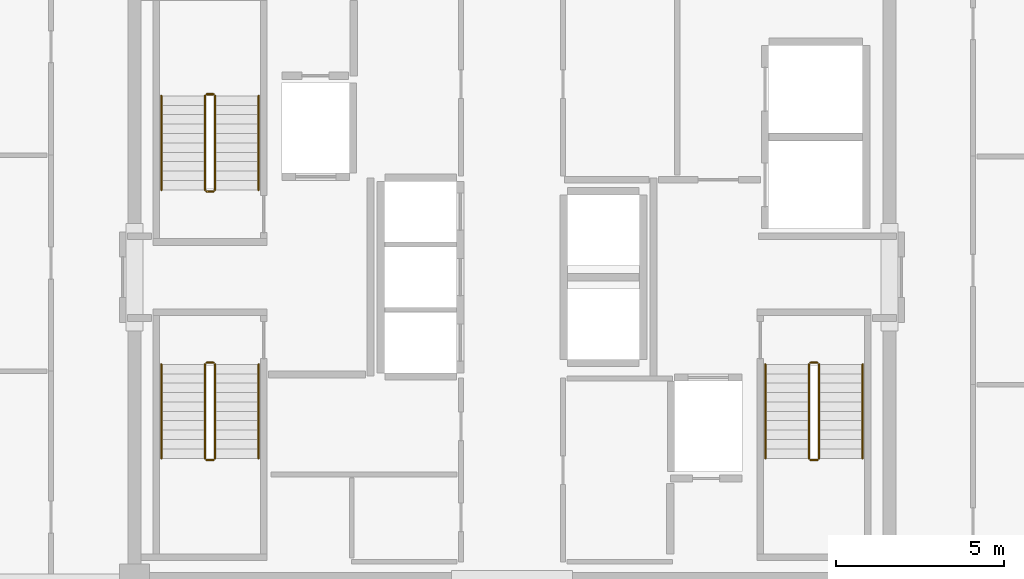
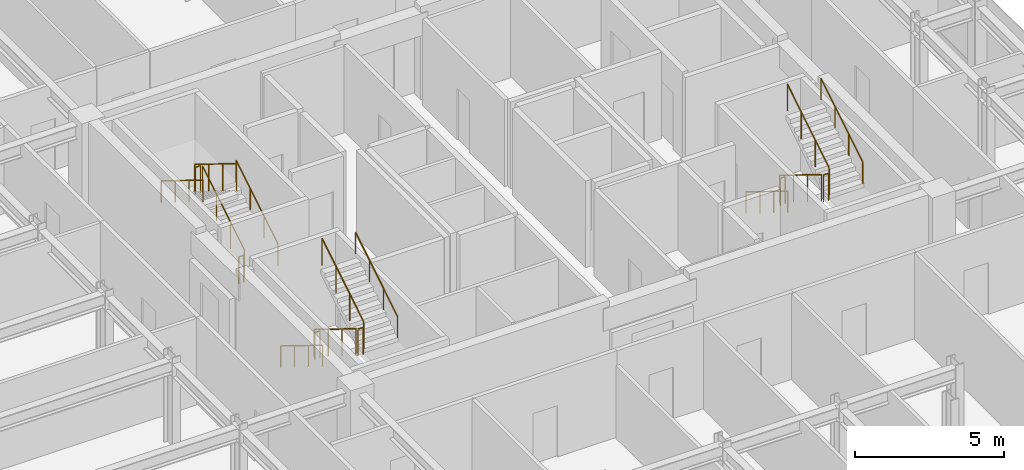
# One storey, part 16 of 17: 18 railings.
"""IFC4 building model written with IfcOpenShell, lengths in metres."""

from ifc_helpers import new_model, si_unit, direction, frame, origin, origin_2d, place, context, subcontext, project, spatial, circle, extrude, material, type_object, element, save


model = new_model("IFC4")

# Units and contexts
model_context = context("Model", 3, precision=1e-05, world=origin(), true_north=direction((0.0, 1.0)))
body_context = subcontext(model_context, "Body", "Model", "MODEL_VIEW")
ifc_project = project(units=[si_unit("LENGTHUNIT", "METRE"), si_unit("AREAUNIT", "SQUARE_METRE"), si_unit("VOLUMEUNIT", "CUBIC_METRE"), si_unit("PLANEANGLEUNIT", "RADIAN"), si_unit("MASSUNIT", "GRAM", prefix="KILO")], contexts=[model_context])

# Site, building, storey
site_placement = place(None, origin())
site = spatial("IfcSite", under=ifc_project, at=site_placement, CompositionType="ELEMENT")
building_placement = place(site_placement, origin())
building = spatial("IfcBuilding", under=site, at=building_placement, Name="Nefas-Gora Pilgrimage Tower", CompositionType="ELEMENT")
storey_placement = place(building_placement, frame((0.0, 0.0, 337.60009765625)))
storey = spatial("IfcBuildingStorey", under=building, at=storey_placement, Name="L85", CompositionType="ELEMENT", Elevation=337.60009765625)

# Railings
ifc_material_1 = material(Name="Painted galvanised steel", Category="steel")
railing_type_1 = type_object("IfcRailingType", Name="RLG-STR-GUARD-1100", PredefinedType="GUARDRAIL", material=ifc_material_1)
railing_1_placement = place(storey_placement, frame((-8.85009765625, 2.60009765625, 0.172607421875)))
element("IfcRailing", 1, at=railing_1_placement, inside=storey, type_object=railing_type_1, Name="L85 ST-01 stair guard 1", PredefinedType="GUARDRAIL", context=body_context, shape_type="SweptSolid", body=[
    extrude(circle(Radius=0.02392578125, at=origin_2d()), frame((0.0, 0.0, 1.09619140625), z_axis=(0.0, 0.851069175582, 0.525053576669), x_axis=(-1.0, 0.0, 0.0)), (0.0, 0.0, 1.0), 3.289794921875),
    extrude(circle(Radius=0.02099609375, at=origin_2d()), origin(), (0.0, 0.0, 1.0), 1.072021484375),
    extrude(circle(Radius=0.02099609375, at=origin_2d()), frame((0.0, 0.933349609375, 0.57568359375)), (0.0, 0.0, 1.0), 1.072021484375),
    extrude(circle(Radius=0.02099609375, at=origin_2d()), frame((0.0, 1.866455078125, 1.151611328125)), (0.0, 0.0, 1.0), 1.072021484375),
    extrude(circle(Radius=0.02099609375, at=origin_2d()), frame((0.0, 2.7998046875, 1.727294921875)), (0.0, 0.0, 1.0), 1.072021484375),
])
railing_2_placement = place(storey_placement, frame((-8.89990234375, 5.449951171875, 1.89990234375)))
element("IfcRailing", 2, at=railing_2_placement, inside=storey, type_object=railing_type_1, Name="L85 ST-01 stair guard 2", PredefinedType="GUARDRAIL", context=body_context, shape_type="SweptSolid", body=[
    extrude(circle(Radius=0.02392578125, at=origin_2d()), frame((0.0, 0.0, 1.09619140625), z_axis=(-1.0, 0.0, 0.0), x_axis=(0.0, -1.0, 0.0)), (0.0, 0.0, 1.0), 0.2001953125),
    extrude(circle(Radius=0.02099609375, at=origin_2d()), origin(), (0.0, 0.0, 1.0), 1.072021484375),
    extrude(circle(Radius=0.02099609375, at=origin_2d()), frame((-0.2001953125, 0.0, 0.0)), (0.0, 0.0, 1.0), 1.072021484375),
])
railing_3_placement = place(storey_placement, frame((-9.14990234375, 5.39990234375, 2.072509765625)))
element("IfcRailing", 3, at=railing_3_placement, inside=storey, type_object=railing_type_1, Name="L85 ST-01 stair guard 3", PredefinedType="GUARDRAIL", context=body_context, shape_type="SweptSolid", body=[
    extrude(circle(Radius=0.02392578125, at=origin_2d()), frame((0.0, 0.0, 1.09619140625), z_axis=(0.0, -0.851069175582, 0.525053576669), x_axis=(1.0, 0.0, 0.0)), (0.0, 0.0, 1.0), 3.289794921875),
    extrude(circle(Radius=0.02099609375, at=origin_2d()), origin(), (0.0, 0.0, 1.0), 1.072021484375),
    extrude(circle(Radius=0.02099609375, at=origin_2d()), frame((0.0, -0.933349609375, 0.57568359375)), (0.0, 0.0, 1.0), 1.072021484375),
    extrude(circle(Radius=0.02099609375, at=origin_2d()), frame((0.0, -1.866455078125, 1.151611328125)), (0.0, 0.0, 1.0), 1.072021484375),
    extrude(circle(Radius=0.02099609375, at=origin_2d()), frame((0.0, -2.7998046875, 1.727294921875)), (0.0, 0.0, 1.0), 1.072021484375),
])
railing_4_placement = place(storey_placement, frame((-8.89990234375, 2.550048828125, 0.0)))
element("IfcRailing", 4, at=railing_4_placement, inside=storey, type_object=railing_type_1, Name="L85 ST-01 stair guard 4", PredefinedType="GUARDRAIL", context=body_context, shape_type="SweptSolid", body=[
    extrude(circle(Radius=0.02392578125, at=origin_2d()), frame((0.0, 0.0, 1.09619140625), z_axis=(-1.0, 0.0, 0.0), x_axis=(0.0, -1.0, 0.0)), (0.0, 0.0, 1.0), 0.2001953125),
    extrude(circle(Radius=0.02099609375, at=origin_2d()), origin(), (0.0, 0.0, 1.0), 1.072021484375),
    extrude(circle(Radius=0.02099609375, at=origin_2d()), frame((-0.2001953125, 0.0, 0.0)), (0.0, 0.0, 1.0), 1.072021484375),
])
railing_5_placement = place(storey_placement, frame((8.85009765625, -2.60009765625, 0.172607421875)))
element("IfcRailing", 5, at=railing_5_placement, inside=storey, type_object=railing_type_1, Name="L85 ST-02 stair guard 1", PredefinedType="GUARDRAIL", context=body_context, shape_type="SweptSolid", body=[
    extrude(circle(Radius=0.02392578125, at=origin_2d()), frame((0.0, 0.0, 1.09619140625), z_axis=(0.0, -0.851069175582, 0.525053576669), x_axis=(1.0, 0.0, 0.0)), (0.0, 0.0, 1.0), 3.289794921875),
    extrude(circle(Radius=0.02099609375, at=origin_2d()), origin(), (0.0, 0.0, 1.0), 1.072021484375),
    extrude(circle(Radius=0.02099609375, at=origin_2d()), frame((0.0, -0.933349609375, 0.57568359375)), (0.0, 0.0, 1.0), 1.072021484375),
    extrude(circle(Radius=0.02099609375, at=origin_2d()), frame((0.0, -1.866455078125, 1.151611328125)), (0.0, 0.0, 1.0), 1.072021484375),
    extrude(circle(Radius=0.02099609375, at=origin_2d()), frame((0.0, -2.7998046875, 1.727294921875)), (0.0, 0.0, 1.0), 1.072021484375),
])
railing_6_placement = place(storey_placement, frame((8.89990234375, -5.449951171875, 1.89990234375)))
element("IfcRailing", 6, at=railing_6_placement, inside=storey, type_object=railing_type_1, Name="L85 ST-02 stair guard 2", PredefinedType="GUARDRAIL", context=body_context, shape_type="SweptSolid", body=[
    extrude(circle(Radius=0.02392578125, at=origin_2d()), frame((0.0, 0.0, 1.09619140625), z_axis=(1.0, 0.0, 0.0), x_axis=(0.0, 1.0, 0.0)), (0.0, 0.0, 1.0), 0.2001953125),
    extrude(circle(Radius=0.02099609375, at=origin_2d()), origin(), (0.0, 0.0, 1.0), 1.072021484375),
    extrude(circle(Radius=0.02099609375, at=origin_2d()), frame((0.2001953125, 0.0, 0.0)), (0.0, 0.0, 1.0), 1.072021484375),
])
railing_7_placement = place(storey_placement, frame((9.14990234375, -5.39990234375, 2.072509765625)))
element("IfcRailing", 7, at=railing_7_placement, inside=storey, type_object=railing_type_1, Name="L85 ST-02 stair guard 3", PredefinedType="GUARDRAIL", context=body_context, shape_type="SweptSolid", body=[
    extrude(circle(Radius=0.02392578125, at=origin_2d()), frame((0.0, 0.0, 1.09619140625), z_axis=(0.0, 0.851069175582, 0.525053576669), x_axis=(-1.0, 0.0, 0.0)), (0.0, 0.0, 1.0), 3.289794921875),
    extrude(circle(Radius=0.02099609375, at=origin_2d()), origin(), (0.0, 0.0, 1.0), 1.072021484375),
    extrude(circle(Radius=0.02099609375, at=origin_2d()), frame((0.0, 0.933349609375, 0.57568359375)), (0.0, 0.0, 1.0), 1.072021484375),
    extrude(circle(Radius=0.02099609375, at=origin_2d()), frame((0.0, 1.866455078125, 1.151611328125)), (0.0, 0.0, 1.0), 1.072021484375),
    extrude(circle(Radius=0.02099609375, at=origin_2d()), frame((0.0, 2.7998046875, 1.727294921875)), (0.0, 0.0, 1.0), 1.072021484375),
])
railing_8_placement = place(storey_placement, frame((8.89990234375, -2.550048828125, 0.0)))
element("IfcRailing", 8, at=railing_8_placement, inside=storey, type_object=railing_type_1, Name="L85 ST-02 stair guard 4", PredefinedType="GUARDRAIL", context=body_context, shape_type="SweptSolid", body=[
    extrude(circle(Radius=0.02392578125, at=origin_2d()), frame((0.0, 0.0, 1.09619140625), z_axis=(1.0, 0.0, 0.0), x_axis=(0.0, 1.0, 0.0)), (0.0, 0.0, 1.0), 0.2001953125),
    extrude(circle(Radius=0.02099609375, at=origin_2d()), origin(), (0.0, 0.0, 1.0), 1.072021484375),
    extrude(circle(Radius=0.02099609375, at=origin_2d()), frame((0.2001953125, 0.0, 0.0)), (0.0, 0.0, 1.0), 1.072021484375),
])
railing_9_placement = place(storey_placement, frame((-9.14990234375, -2.60009765625, 0.172607421875)))
element("IfcRailing", 9, at=railing_9_placement, inside=storey, type_object=railing_type_1, Name="L85 ST-03 stair guard 1", PredefinedType="GUARDRAIL", context=body_context, shape_type="SweptSolid", body=[
    extrude(circle(Radius=0.02392578125, at=origin_2d()), frame((0.0, 0.0, 1.09619140625), z_axis=(0.0, -0.851069175582, 0.525053576669), x_axis=(1.0, 0.0, 0.0)), (0.0, 0.0, 1.0), 3.289794921875),
    extrude(circle(Radius=0.02099609375, at=origin_2d()), origin(), (0.0, 0.0, 1.0), 1.072021484375),
    extrude(circle(Radius=0.02099609375, at=origin_2d()), frame((0.0, -0.933349609375, 0.57568359375)), (0.0, 0.0, 1.0), 1.072021484375),
    extrude(circle(Radius=0.02099609375, at=origin_2d()), frame((0.0, -1.866455078125, 1.151611328125)), (0.0, 0.0, 1.0), 1.072021484375),
    extrude(circle(Radius=0.02099609375, at=origin_2d()), frame((0.0, -2.7998046875, 1.727294921875)), (0.0, 0.0, 1.0), 1.072021484375),
])
railing_10_placement = place(storey_placement, frame((-9.10009765625, -5.449951171875, 1.89990234375)))
element("IfcRailing", 10, at=railing_10_placement, inside=storey, type_object=railing_type_1, Name="L85 ST-03 stair guard 2", PredefinedType="GUARDRAIL", context=body_context, shape_type="SweptSolid", body=[
    extrude(circle(Radius=0.02392578125, at=origin_2d()), frame((0.0, 0.0, 1.09619140625), z_axis=(1.0, 0.0, 0.0), x_axis=(0.0, 1.0, 0.0)), (0.0, 0.0, 1.0), 0.2001953125),
    extrude(circle(Radius=0.02099609375, at=origin_2d()), origin(), (0.0, 0.0, 1.0), 1.072021484375),
    extrude(circle(Radius=0.02099609375, at=origin_2d()), frame((0.2001953125, 0.0, 0.0)), (0.0, 0.0, 1.0), 1.072021484375),
])
railing_11_placement = place(storey_placement, frame((-8.85009765625, -5.39990234375, 2.072509765625)))
element("IfcRailing", 11, at=railing_11_placement, inside=storey, type_object=railing_type_1, Name="L85 ST-03 stair guard 3", PredefinedType="GUARDRAIL", context=body_context, shape_type="SweptSolid", body=[
    extrude(circle(Radius=0.02392578125, at=origin_2d()), frame((0.0, 0.0, 1.09619140625), z_axis=(0.0, 0.851069175582, 0.525053576669), x_axis=(-1.0, 0.0, 0.0)), (0.0, 0.0, 1.0), 3.289794921875),
    extrude(circle(Radius=0.02099609375, at=origin_2d()), origin(), (0.0, 0.0, 1.0), 1.072021484375),
    extrude(circle(Radius=0.02099609375, at=origin_2d()), frame((0.0, 0.933349609375, 0.57568359375)), (0.0, 0.0, 1.0), 1.072021484375),
    extrude(circle(Radius=0.02099609375, at=origin_2d()), frame((0.0, 1.866455078125, 1.151611328125)), (0.0, 0.0, 1.0), 1.072021484375),
    extrude(circle(Radius=0.02099609375, at=origin_2d()), frame((0.0, 2.7998046875, 1.727294921875)), (0.0, 0.0, 1.0), 1.072021484375),
])
railing_12_placement = place(storey_placement, frame((-9.10009765625, -2.550048828125, 0.0)))
element("IfcRailing", 12, at=railing_12_placement, inside=storey, type_object=railing_type_1, Name="L85 ST-03 stair guard 4", PredefinedType="GUARDRAIL", context=body_context, shape_type="SweptSolid", body=[
    extrude(circle(Radius=0.02392578125, at=origin_2d()), frame((0.0, 0.0, 1.09619140625), z_axis=(1.0, 0.0, 0.0), x_axis=(0.0, 1.0, 0.0)), (0.0, 0.0, 1.0), 0.2001953125),
    extrude(circle(Radius=0.02099609375, at=origin_2d()), origin(), (0.0, 0.0, 1.0), 1.072021484375),
    extrude(circle(Radius=0.02099609375, at=origin_2d()), frame((0.2001953125, 0.0, 0.0)), (0.0, 0.0, 1.0), 1.072021484375),
])
ifc_material_2 = material(Name="Brushed stainless steel", Category="steel")
railing_type_2 = type_object("IfcRailingType", Name="RLG-STR-HAND-900", PredefinedType="HANDRAIL", material=ifc_material_2)
railing_13_placement = place(storey_placement, frame((-7.550048828125, 2.60009765625, 0.172607421875)))
element("IfcRailing", 13, at=railing_13_placement, inside=storey, type_object=railing_type_2, Name="L85 ST-01 stair handrail 1", PredefinedType="HANDRAIL", context=body_context, shape_type="SweptSolid", body=[
    extrude(circle(Radius=0.02392578125, at=origin_2d()), frame((0.0, 0.0, 0.8759765625), z_axis=(0.0, 0.851069175582, 0.525053576669), x_axis=(-1.0, 0.0, 0.0)), (0.0, 0.0, 1.0), 3.289794921875),
    extrude(circle(Radius=0.02099609375, at=origin_2d()), origin(), (0.0, 0.0, 1.0), 0.851806640625),
    extrude(circle(Radius=0.02099609375, at=origin_2d()), frame((0.0, 0.933349609375, 0.57568359375)), (0.0, 0.0, 1.0), 0.851806640625),
    extrude(circle(Radius=0.02099609375, at=origin_2d()), frame((0.0, 1.866455078125, 1.151611328125)), (0.0, 0.0, 1.0), 0.851806640625),
    extrude(circle(Radius=0.02099609375, at=origin_2d()), frame((0.0, 2.7998046875, 1.727294921875)), (0.0, 0.0, 1.0), 0.851806640625),
])
for number, where, name in (
    (14, (-10.449951171875, 5.39990234375, 2.072509765625), "L85 ST-01 stair handrail 2"),
    (15, (7.550048828125, -2.60009765625, 0.172607421875), "L85 ST-02 stair handrail 1"),
):
    element("IfcRailing", number, at=place(storey_placement, frame(where)), inside=storey, type_object=railing_type_2, Name=name, PredefinedType="HANDRAIL", context=body_context, shape_type="SweptSolid", body=[
        extrude(circle(Radius=0.02392578125, at=origin_2d()), frame((0.0, 0.0, 0.8759765625), z_axis=(0.0, -0.851069175582, 0.525053576669), x_axis=(1.0, 0.0, 0.0)), (0.0, 0.0, 1.0), 3.289794921875),
        extrude(circle(Radius=0.02099609375, at=origin_2d()), origin(), (0.0, 0.0, 1.0), 0.851806640625),
        extrude(circle(Radius=0.02099609375, at=origin_2d()), frame((0.0, -0.933349609375, 0.57568359375)), (0.0, 0.0, 1.0), 0.851806640625),
        extrude(circle(Radius=0.02099609375, at=origin_2d()), frame((0.0, -1.866455078125, 1.151611328125)), (0.0, 0.0, 1.0), 0.851806640625),
        extrude(circle(Radius=0.02099609375, at=origin_2d()), frame((0.0, -2.7998046875, 1.727294921875)), (0.0, 0.0, 1.0), 0.851806640625),
    ])
railing_14_placement = place(storey_placement, frame((10.449951171875, -5.39990234375, 2.072509765625)))
element("IfcRailing", 16, at=railing_14_placement, inside=storey, type_object=railing_type_2, Name="L85 ST-02 stair handrail 2", PredefinedType="HANDRAIL", context=body_context, shape_type="SweptSolid", body=[
    extrude(circle(Radius=0.02392578125, at=origin_2d()), frame((0.0, 0.0, 0.8759765625), z_axis=(0.0, 0.851069175582, 0.525053576669), x_axis=(-1.0, 0.0, 0.0)), (0.0, 0.0, 1.0), 3.289794921875),
    extrude(circle(Radius=0.02099609375, at=origin_2d()), origin(), (0.0, 0.0, 1.0), 0.851806640625),
    extrude(circle(Radius=0.02099609375, at=origin_2d()), frame((0.0, 0.933349609375, 0.57568359375)), (0.0, 0.0, 1.0), 0.851806640625),
    extrude(circle(Radius=0.02099609375, at=origin_2d()), frame((0.0, 1.866455078125, 1.151611328125)), (0.0, 0.0, 1.0), 0.851806640625),
    extrude(circle(Radius=0.02099609375, at=origin_2d()), frame((0.0, 2.7998046875, 1.727294921875)), (0.0, 0.0, 1.0), 0.851806640625),
])
railing_15_placement = place(storey_placement, frame((-10.449951171875, -2.60009765625, 0.172607421875)))
element("IfcRailing", 17, at=railing_15_placement, inside=storey, type_object=railing_type_2, Name="L85 ST-03 stair handrail 1", PredefinedType="HANDRAIL", context=body_context, shape_type="SweptSolid", body=[
    extrude(circle(Radius=0.02392578125, at=origin_2d()), frame((0.0, 0.0, 0.8759765625), z_axis=(0.0, -0.851069175582, 0.525053576669), x_axis=(1.0, 0.0, 0.0)), (0.0, 0.0, 1.0), 3.289794921875),
    extrude(circle(Radius=0.02099609375, at=origin_2d()), origin(), (0.0, 0.0, 1.0), 0.851806640625),
    extrude(circle(Radius=0.02099609375, at=origin_2d()), frame((0.0, -0.933349609375, 0.57568359375)), (0.0, 0.0, 1.0), 0.851806640625),
    extrude(circle(Radius=0.02099609375, at=origin_2d()), frame((0.0, -1.866455078125, 1.151611328125)), (0.0, 0.0, 1.0), 0.851806640625),
    extrude(circle(Radius=0.02099609375, at=origin_2d()), frame((0.0, -2.7998046875, 1.727294921875)), (0.0, 0.0, 1.0), 0.851806640625),
])
railing_16_placement = place(storey_placement, frame((-7.550048828125, -5.39990234375, 2.072509765625)))
element("IfcRailing", 18, at=railing_16_placement, inside=storey, type_object=railing_type_2, Name="L85 ST-03 stair handrail 2", PredefinedType="HANDRAIL", context=body_context, shape_type="SweptSolid", body=[
    extrude(circle(Radius=0.02392578125, at=origin_2d()), frame((0.0, 0.0, 0.8759765625), z_axis=(0.0, 0.851069175582, 0.525053576669), x_axis=(-1.0, 0.0, 0.0)), (0.0, 0.0, 1.0), 3.289794921875),
    extrude(circle(Radius=0.02099609375, at=origin_2d()), origin(), (0.0, 0.0, 1.0), 0.851806640625),
    extrude(circle(Radius=0.02099609375, at=origin_2d()), frame((0.0, 0.933349609375, 0.57568359375)), (0.0, 0.0, 1.0), 0.851806640625),
    extrude(circle(Radius=0.02099609375, at=origin_2d()), frame((0.0, 1.866455078125, 1.151611328125)), (0.0, 0.0, 1.0), 0.851806640625),
    extrude(circle(Radius=0.02099609375, at=origin_2d()), frame((0.0, 2.7998046875, 1.727294921875)), (0.0, 0.0, 1.0), 0.851806640625),
])

save(model, "model.ifc")
